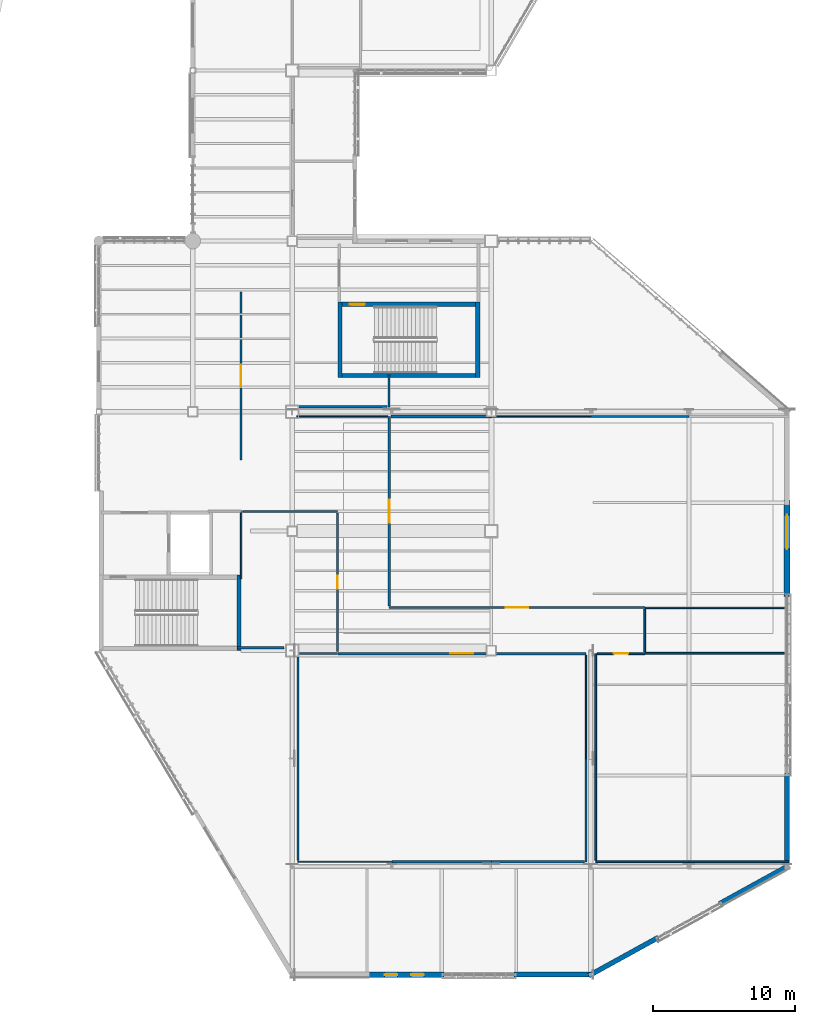
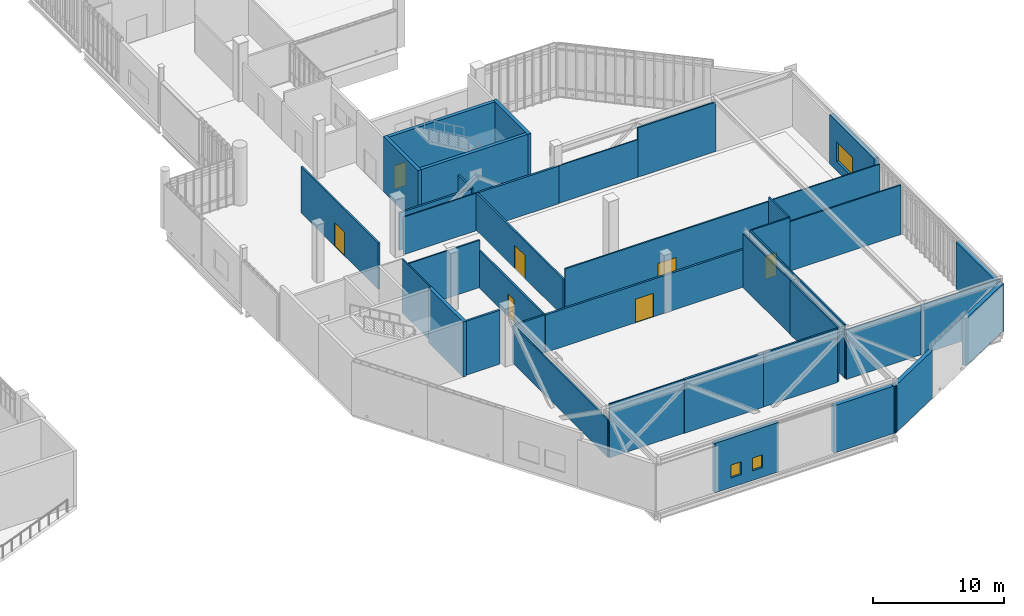
# One storey, part 120 of 135: 40 walls, 7 doors, 3 windows, 10 openings.
"""IFC4 building model written with IfcOpenShell, lengths in metres."""

from ifc_helpers import new_model, si_unit, direction, frame, frame_2d, origin, place, context, subcontext, project, spatial, rectangle, extrude, material, layer, layer_set, type_object, element, fill, save


model = new_model("IFC4")

# Units and contexts
model_context = context("Model", 3, precision=1e-05, world=origin(), true_north=direction((0.0, 1.0)))
body_context = subcontext(model_context, "Body", "Model", "MODEL_VIEW")
ifc_project = project(units=[si_unit("LENGTHUNIT", "METRE"), si_unit("AREAUNIT", "SQUARE_METRE"), si_unit("VOLUMEUNIT", "CUBIC_METRE"), si_unit("PLANEANGLEUNIT", "RADIAN"), si_unit("MASSUNIT", "GRAM", prefix="KILO")], contexts=[model_context])

# Site, building, storey
site_placement = place(None, origin())
site = spatial("IfcSite", under=ifc_project, at=site_placement, CompositionType="ELEMENT")
building_placement = place(site_placement, origin())
building = spatial("IfcBuilding", under=site, at=building_placement, Name="Larkvane Passage Sports Hall", CompositionType="ELEMENT")
storey_placement = place(building_placement, frame((0.0, 0.0, 16.800048828125)))
storey = spatial("IfcBuildingStorey", under=building, at=storey_placement, Name="L03", CompositionType="ELEMENT", Elevation=16.800048828125)

# Walls
ifc_material_1 = material(Name="Concrete C50/60", Category="concrete")
ifc_layer_1 = layer(ifc_material_1, 0.300048828125)
ifc_layer_set_1 = layer_set([ifc_layer_1], Name="Concrete C50/60")
wall_type_1 = type_object("IfcWallType", Name="WL-CORE-300", PredefinedType="SHEAR", material=ifc_layer_set_1)
for number, where, z_axis, x_axis, name in (
    (1, (134.949951171875, 42.0, 0.0), (0.0, 0.0, 1.0), (0.0, 1.0, 0.0), "Core shear wall WAL-CORE-C7-L03-W"),
    (2, (144.64990234375, 47.300048828125, 0.0), (0.0, 0.0, 1.0), (0.0, -1.0, 0.0), "Core shear wall WAL-CORE-C7-L03-E"),
):
    element("IfcWall", number, at=place(storey_placement, frame(where, z_axis=z_axis, x_axis=x_axis)), inside=storey, type_object=wall_type_1, Name=name, PredefinedType="SHEAR", context=body_context, shape_type="SweptSolid", body=[
        extrude(rectangle(XDim=5.300048828125, YDim=0.300048828125, at=frame_2d((2.64990234375, 0.0))), origin(), (0.0, 0.0, 1.0), 5.14990234375),
    ])
wall_1_placement = place(storey_placement, frame((144.5, 42.14990234375, 0.0), z_axis=(0.0, 0.0, 1.0), x_axis=(-1.0, 0.0, 0.0)))
element("IfcWall", 3, at=wall_1_placement, inside=storey, type_object=wall_type_1, Name="Core shear wall WAL-CORE-C7-L03-S", PredefinedType="SHEAR", context=body_context, shape_type="SweptSolid", body=[
    extrude(rectangle(XDim=9.39990234375, YDim=0.300048828125, at=frame_2d((4.699951171875, 0.0))), origin(), (0.0, 0.0, 1.0), 5.14990234375),
])

# Wall, opening, door
wall_2_placement = place(storey_placement, frame((135.10009765625, 47.14990234375, 0.0), z_axis=(0.0, 0.0, 1.0), x_axis=(1.0, 0.0, 0.0)))
wall_2 = element("IfcWall", 4, at=wall_2_placement, inside=storey, type_object=wall_type_1, Name="Core shear wall WAL-CORE-C7-L03-N", PredefinedType="SHEAR", context=body_context, shape_type="SweptSolid", body=[
    extrude(rectangle(XDim=9.39990234375, YDim=0.300048828125, at=frame_2d((4.699951171875, 0.0))), origin(), (0.0, 0.0, 1.0), 5.14990234375),
])
opening_1_placement = place(wall_2_placement, frame((0.550048828125, 0.0, 0.0)))
opening_1 = element("IfcOpeningElement", 5, at=opening_1_placement, cuts=wall_2, Name="Opening DF-01", PredefinedType="OPENING", context=body_context, shape_type="SweptSolid", body=[
    extrude(rectangle(XDim=1.050048828125, YDim=2.199951171875, at=frame_2d((0.52490234375, 1.10009765625))), frame((0.0, 0.159912109375, 0.0), z_axis=(0.0, -1.0, 0.0), x_axis=(1.0, 0.0, 0.0)), (0.0, 0.0, 1.0), 0.320068359375),
])
ifc_material_2 = material(Name="Steel S355JR smoke-sealed fire door", Category="steel")
door_type_1 = type_object("IfcDoorType", Name="DR-FIRE-1050", OperationType="NOTDEFINED", PredefinedType="DOOR", material=ifc_material_2)
door_1_placement = place(opening_1_placement, origin())
door_1 = element("IfcDoor", 6, at=door_1_placement, inside=storey, type_object=door_type_1, Name="Stair ST-07 L03 fire door", OperationType="SINGLE_SWING_RIGHT", OverallHeight=2.199951171875, OverallWidth=1.050048828125, PredefinedType="DOOR", context=body_context, shape_type="SweptSolid", body=[
    extrude(rectangle(XDim=1.050048828125, YDim=2.199951171875, at=frame_2d((0.52490234375, 1.10009765625))), frame((0.0, 0.02490234375, 0.0), z_axis=(0.0, -1.0, 0.0), x_axis=(1.0, 0.0, 0.0)), (0.0, 0.0, 1.0), 0.050048828125),
])
fill(opening_1, door_1)

# Walls
ifc_layer_2 = layer(ifc_material_1, 0.340087890625)
ifc_layer_set_2 = layer_set([ifc_layer_2], Name="Concrete C50/60")
wall_type_2 = type_object("IfcWallType", Name="WL-CORE-340", PredefinedType="SHEAR", material=ifc_layer_set_2)
wall_3_placement = place(storey_placement, frame((127.85009765625, 28.10009765625, 0.0), z_axis=(0.0, 0.0, 1.0), x_axis=(0.0, -1.0, 0.0)))
element("IfcWall", 7, at=wall_3_placement, inside=storey, type_object=wall_type_2, Name="Core shear wall WAL-CORE-C5-L03-E", PredefinedType="SHEAR", context=body_context, shape_type="SweptSolid", body=[
    extrude(rectangle(XDim=5.300048828125, YDim=0.300048828125, at=frame_2d((2.64990234375, 0.0))), origin(), (0.0, 0.0, 1.0), 5.14990234375),
])
ifc_material_3 = material(Name="Precast concrete C45/55", Category="concrete")
ifc_layer_3 = layer(ifc_material_3, 0.344970703125)
ifc_layer_set_3 = layer_set([ifc_layer_3], Name="Precast concrete C45/55")
wall_type_3 = type_object("IfcWallType", Name="WL-EXT-345", PredefinedType="SOLIDWALL", material=ifc_layer_set_3)
wall_4_placement = place(storey_placement, frame((166.39990234375, 14.16552734375, 0.0), z_axis=(0.0, 0.0, 1.0), x_axis=(0.0, -1.0, 0.0)))
element("IfcWall", 8, at=wall_4_placement, inside=storey, type_object=wall_type_3, Name="Exterior wall WAL-EXT-L03-171", PredefinedType="SOLIDWALL", context=body_context, shape_type="SweptSolid", body=[
    extrude(rectangle(XDim=6.731201171875, YDim=0.344970703125, at=frame_2d((3.36572265625, 0.0))), origin(), (0.0, 0.0, 1.0), 4.419921875),
])
for number, where, z_axis, x_axis, name in (
    (9, (166.545166015625, 7.679931640625, 0.0), (0.0, 0.0, 1.0), (-0.875958187031, -0.482387038148, 0.0), "Exterior wall WAL-EXT-L03-172"),
    (10, (157.34521484375, 2.61328125, 0.0), (0.0, 0.0, 1.0), (-0.875958187031, -0.482387038148, 0.0), "Exterior wall WAL-EXT-L03-173"),
):
    element("IfcWall", number, at=place(storey_placement, frame(where, z_axis=z_axis, x_axis=x_axis)), inside=storey, type_object=wall_type_3, Name=name, PredefinedType="SOLIDWALL", context=body_context, shape_type="SweptSolid", body=[
        extrude(rectangle(XDim=5.5830078125, YDim=0.344970703125, at=frame_2d((2.79150390625, 0.0))), origin(), (0.0, 0.0, 1.0), 4.419921875),
    ])
wall_5_placement = place(storey_placement, frame((152.765625, 0.0, 0.0), z_axis=(0.0, 0.0, 1.0), x_axis=(-1.0, 0.0, 0.0)))
element("IfcWall", 11, at=wall_5_placement, inside=storey, type_object=wall_type_3, Name="Exterior wall WAL-EXT-L03-174", PredefinedType="SOLIDWALL", context=body_context, shape_type="SweptSolid", body=[
    extrude(rectangle(XDim=5.581298828125, YDim=0.344970703125, at=frame_2d((2.79052734375, 0.0))), origin(), (0.0, 0.0, 1.0), 4.419921875),
])

# Wall, openings, windows
ifc_material_4 = material(Name="Concrete C40/50", Category="concrete")
ifc_layer_4 = layer(ifc_material_4, 0.385009765625)
ifc_layer_set_4 = layer_set([ifc_layer_4], Name="Concrete C40/50")
wall_type_4 = type_object("IfcWallType", Name="WL-EXT-385", PredefinedType="SOLIDWALL", material=ifc_layer_set_4)
wall_6_placement = place(storey_placement, frame((142.284912109375, 0.0, 0.0), z_axis=(0.0, 0.0, 1.0), x_axis=(-1.0, 0.0, 0.0)))
wall_6 = element("IfcWall", 12, at=wall_6_placement, inside=storey, type_object=wall_type_4, Name="Exterior wall WAL-EXT-L03-175", PredefinedType="SOLIDWALL", context=body_context, shape_type="SweptSolid", body=[
    extrude(rectangle(XDim=5.61962890625, YDim=0.385009765625, at=frame_2d((2.809814453125, 0.0))), origin(), (0.0, 0.0, 1.0), 4.617919921875),
])
opening_2_placement = place(wall_6_placement, frame((1.423095703125, 0.0, 0.89990234375)))
opening_2 = element("IfcOpeningElement", 13, at=opening_2_placement, cuts=wall_6, Name="Opening W-09", PredefinedType="OPENING", context=body_context, shape_type="SweptSolid", body=[
    extrude(rectangle(XDim=0.89990234375, YDim=1.199951171875, at=frame_2d((0.449951171875, 0.60009765625))), frame((0.0, 0.202392578125, 0.0), z_axis=(0.0, -1.0, 0.0), x_axis=(1.0, 0.0, 0.0)), (0.0, 0.0, 1.0), 0.405029296875),
])
opening_3_placement = place(wall_6_placement, frame((3.2958984375, 0.0, 0.89990234375)))
opening_3 = element("IfcOpeningElement", 14, at=opening_3_placement, cuts=wall_6, Name="Opening W-09", PredefinedType="OPENING", context=body_context, shape_type="SweptSolid", body=[
    extrude(rectangle(XDim=0.89990234375, YDim=1.199951171875, at=frame_2d((0.449951171875, 0.60009765625))), frame((0.0, 0.202392578125, 0.0), z_axis=(0.0, -1.0, 0.0), x_axis=(1.0, 0.0, 0.0)), (0.0, 0.0, 1.0), 0.405029296875),
])
ifc_material_5 = material(Name="Thermally broken aluminium and laminated low-E glass", Category="aluminium")
window_type_1 = type_object("IfcWindowType", Name="WN-CAS-900x1200", PartitioningType="SINGLE_PANEL", PredefinedType="WINDOW", material=ifc_material_5)
window_1_placement = place(opening_2_placement, origin())
window_1 = element("IfcWindow", 15, at=window_1_placement, inside=storey, type_object=window_type_1, Name="Window L03-071", OverallHeight=1.199951171875, OverallWidth=0.89990234375, PartitioningType="SINGLE_PANEL", PredefinedType="WINDOW", context=body_context, shape_type="SweptSolid", body=[
    extrude(rectangle(XDim=0.89990234375, YDim=1.199951171875, at=frame_2d((0.449951171875, 0.60009765625))), frame((0.0, 0.030029296875, 0.0), z_axis=(0.0, -1.0, 0.0), x_axis=(1.0, 0.0, 0.0)), (0.0, 0.0, 1.0), 0.06005859375),
])
fill(opening_2, window_1)
window_2_placement = place(opening_3_placement, origin())
window_2 = element("IfcWindow", 16, at=window_2_placement, inside=storey, type_object=window_type_1, Name="Window L03-072", OverallHeight=1.199951171875, OverallWidth=0.89990234375, PartitioningType="SINGLE_PANEL", PredefinedType="WINDOW", context=body_context, shape_type="SweptSolid", body=[
    extrude(rectangle(XDim=0.89990234375, YDim=1.199951171875, at=frame_2d((0.449951171875, 0.60009765625))), frame((0.0, 0.030029296875, 0.0), z_axis=(0.0, -1.0, 0.0), x_axis=(1.0, 0.0, 0.0)), (0.0, 0.0, 1.0), 0.06005859375),
])
fill(opening_3, window_2)

# Wall, opening, window
ifc_layer_5 = layer(ifc_material_4, 0.425048828125)
ifc_layer_set_5 = layer_set([ifc_layer_5], Name="Concrete C40/50")
wall_type_5 = type_object("IfcWallType", Name="WL-EXT-425", PredefinedType="SOLIDWALL", material=ifc_layer_set_5)
wall_7_placement = place(storey_placement, frame((166.39990234375, 33.404052734375, 0.0), z_axis=(0.0, 0.0, 1.0), x_axis=(0.0, -1.0, 0.0)))
wall_7 = element("IfcWall", 17, at=wall_7_placement, inside=storey, type_object=wall_type_5, Name="Exterior wall WAL-EXT-L03-170", PredefinedType="SOLIDWALL", context=body_context, shape_type="SweptSolid", body=[
    extrude(rectangle(XDim=6.80810546875, YDim=0.425048828125, at=frame_2d((3.404052734375, 0.0))), origin(), (0.0, 0.0, 1.0), 4.617919921875),
])
opening_4_placement = place(wall_7_placement, frame((1.069091796875, 0.0, 0.89990234375)))
opening_4 = element("IfcOpeningElement", 18, at=opening_4_placement, cuts=wall_7, Name="Opening W-04", PredefinedType="OPENING", context=body_context, shape_type="SweptSolid", body=[
    extrude(rectangle(XDim=2.39990234375, YDim=1.800048828125, at=frame_2d((1.199951171875, 0.89990234375))), frame((0.0, 0.222412109375, 0.0), z_axis=(0.0, -1.0, 0.0), x_axis=(1.0, 0.0, 0.0)), (0.0, 0.0, 1.0), 0.445068359375),
])
window_type_2 = type_object("IfcWindowType", Name="WN-FIX-2400x1800", PartitioningType="DOUBLE_PANEL_VERTICAL", PredefinedType="WINDOW", material=ifc_material_5)
window_3_placement = place(opening_4_placement, origin())
window_3 = element("IfcWindow", 19, at=window_3_placement, inside=storey, type_object=window_type_2, Name="Window L03-070", OverallHeight=1.800048828125, OverallWidth=2.39990234375, PartitioningType="DOUBLE_PANEL_VERTICAL", PredefinedType="WINDOW", context=body_context, shape_type="SweptSolid", body=[
    extrude(rectangle(XDim=2.39990234375, YDim=1.800048828125, at=frame_2d((1.199951171875, 0.89990234375))), frame((0.0, 0.030029296875, 0.0), z_axis=(0.0, -1.0, 0.0), x_axis=(1.0, 0.0, 0.0)), (0.0, 0.0, 1.0), 0.06005859375),
])
fill(opening_4, window_3)

# Walls
ifc_material_6 = material(Name="Gypsum twin-stud acoustic partition")
ifc_layer_6 = layer(ifc_material_6, 0.10009765625)
ifc_layer_set_6 = layer_set([ifc_layer_6], Name="Gypsum twin-stud acoustic partition")
wall_type_6 = type_object("IfcWallType", Name="WL-PART-100", PredefinedType="PARTITIONING", material=ifc_layer_set_6)
wall_8_placement = place(storey_placement, frame((166.219970703125, 25.800048828125, 0.0), z_axis=(0.0, 0.0, 1.0), x_axis=(-1.0, 0.0, 0.0)))
element("IfcWall", 20, at=wall_8_placement, inside=storey, type_object=wall_type_6, Name="Interior partition WAL-PART-L03-0321", PredefinedType="PARTITIONING", context=body_context, shape_type="SweptSolid", body=[
    extrude(rectangle(XDim=9.800048828125, YDim=0.10009765625, at=frame_2d((4.89990234375, 0.0))), origin(), (0.0, 0.0, 1.0), 4.619873046875),
])
wall_9_placement = place(storey_placement, frame((145.60009765625, 39.260009765625, 0.0), z_axis=(0.0, 0.0, 1.0), x_axis=(1.0, 0.0, 0.0)))
element("IfcWall", 21, at=wall_9_placement, inside=storey, type_object=wall_type_6, Name="Interior partition WAL-PART-L03-0325", PredefinedType="PARTITIONING", context=body_context, shape_type="SweptSolid", body=[
    extrude(rectangle(XDim=7.0, YDim=0.10009765625, at=frame_2d((3.5, 0.0))), origin(), (0.0, 0.0, 1.0), 3.510009765625),
])
wall_10_placement = place(storey_placement, frame((152.260009765625, 22.4599609375, 0.0), z_axis=(0.0, 0.0, 1.0), x_axis=(0.0, -1.0, 0.0)))
element("IfcWall", 22, at=wall_10_placement, inside=storey, type_object=wall_type_6, Name="Interior partition WAL-PART-L03-0329", PredefinedType="PARTITIONING", context=body_context, shape_type="SweptSolid", body=[
    extrude(rectangle(XDim=7.260009765625, YDim=0.10009765625, at=frame_2d((3.6298828125, 0.0))), origin(), (0.0, 0.0, 1.0), 5.030029296875),
])
wall_11_placement = place(storey_placement, frame((138.60009765625, 7.93994140625, 0.0), z_axis=(0.0, 0.0, 1.0), x_axis=(-1.0, 0.0, 0.0)))
element("IfcWall", 23, at=wall_11_placement, inside=storey, type_object=wall_type_6, Name="Interior partition WAL-PART-L03-0333", PredefinedType="PARTITIONING", context=body_context, shape_type="SweptSolid", body=[
    extrude(rectangle(XDim=6.60009765625, YDim=0.10009765625, at=frame_2d((3.300048828125, 0.0))), origin(), (0.0, 0.0, 1.0), 5.030029296875),
])
wall_12_placement = place(storey_placement, frame((128.0, 27.840087890625, 0.0), z_axis=(0.0, 0.0, 1.0), x_axis=(0.0, 1.0, 0.0)))
element("IfcWall", 24, at=wall_12_placement, inside=storey, type_object=wall_type_6, Name="Interior partition WAL-PART-L03-0337", PredefinedType="PARTITIONING", context=body_context, shape_type="SweptSolid", body=[
    extrude(rectangle(XDim=4.739990234375, YDim=0.10009765625, at=frame_2d((2.3701171875, 0.0))), origin(), (0.0, 0.0, 1.0), 5.030029296875),
])
wall_13_placement = place(storey_placement, frame((131.924072265625, 39.260009765625, 0.0), z_axis=(0.0, 0.0, 1.0), x_axis=(1.0, 0.0, 0.0)))
element("IfcWall", 25, at=wall_13_placement, inside=storey, type_object=wall_type_6, Name="Interior partition WAL-PART-L03-0377", PredefinedType="PARTITIONING", context=body_context, shape_type="SweptSolid", body=[
    extrude(rectangle(XDim=6.3759765625, YDim=0.10009765625, at=frame_2d((3.18798828125, 0.0))), origin(), (0.0, 0.0, 1.0), 3.510009765625),
])

# Wall, opening, door
ifc_material_7 = material(Name="Gypsum twin-stud fire-rated partition")
ifc_layer_7 = layer(ifc_material_7, 0.125)
ifc_layer_set_7 = layer_set([ifc_layer_7], Name="Gypsum twin-stud fire-rated partition")
wall_type_7 = type_object("IfcWallType", Name="WL-PART-125", PredefinedType="PARTITIONING", material=ifc_layer_set_7)
wall_14_placement = place(storey_placement, frame((156.39990234375, 25.820068359375, 0.0), z_axis=(0.0, 0.0, 1.0), x_axis=(-1.0, 0.0, 0.0)))
wall_14 = element("IfcWall", 26, at=wall_14_placement, inside=storey, type_object=wall_type_7, Name="Interior partition WAL-PART-L03-0322", PredefinedType="PARTITIONING", context=body_context, shape_type="SweptSolid", body=[
    extrude(rectangle(XDim=17.97998046875, YDim=0.125, at=frame_2d((8.989990234375, 0.0))), origin(), (0.0, 0.0, 1.0), 4.56005859375),
])
opening_5_placement = place(wall_14_placement, frame((8.18994140625, 0.0, 0.0)))
opening_5 = element("IfcOpeningElement", 27, at=opening_5_placement, cuts=wall_14, Name="Opening DI-03", PredefinedType="OPENING", context=body_context, shape_type="SweptSolid", body=[
    extrude(rectangle(XDim=1.60009765625, YDim=2.199951171875, at=frame_2d((0.800048828125, 1.10009765625))), frame((0.0, 0.072509765625, 0.0), z_axis=(0.0, -1.0, 0.0), x_axis=(1.0, 0.0, 0.0)), (0.0, 0.0, 1.0), 0.14501953125),
])
ifc_material_8 = material(Name="Glazed aluminium studio double door", Category="aluminium")
door_type_2 = type_object("IfcDoorType", Name="DR-INT-1600", OperationType="DOUBLE_DOOR_SINGLE_SWING", PredefinedType="DOOR", material=ifc_material_8)
door_2_placement = place(opening_5_placement, origin())
door_2 = element("IfcDoor", 28, at=door_2_placement, inside=storey, type_object=door_type_2, Name="Interior door L03-0093", OperationType="DOUBLE_DOOR_SINGLE_SWING", OverallHeight=2.199951171875, OverallWidth=1.60009765625, PredefinedType="DOOR", context=body_context, shape_type="SweptSolid", body=[
    extrude(rectangle(XDim=1.60009765625, YDim=2.199951171875, at=frame_2d((0.800048828125, 1.10009765625))), frame((0.0, 0.02490234375, 0.0), z_axis=(0.0, -1.0, 0.0), x_axis=(1.0, 0.0, 0.0)), (0.0, 0.0, 1.0), 0.050048828125),
])
fill(opening_5, door_2)

# Walls
wall_15_placement = place(storey_placement, frame((152.60009765625, 39.260009765625, 0.0), z_axis=(0.0, 0.0, 1.0), x_axis=(1.0, 0.0, 0.0)))
element("IfcWall", 29, at=wall_15_placement, inside=storey, type_object=wall_type_7, Name="Interior partition WAL-PART-L03-0326", PredefinedType="PARTITIONING", context=body_context, shape_type="SweptSolid", body=[
    extrude(rectangle(XDim=6.89990234375, YDim=0.125, at=frame_2d((3.449951171875, 0.0))), origin(), (0.0, 0.0, 1.0), 4.619873046875),
])
wall_16_placement = place(storey_placement, frame((152.260009765625, 15.199951171875, 0.0), z_axis=(0.0, 0.0, 1.0), x_axis=(0.0, -1.0, 0.0)))
element("IfcWall", 30, at=wall_16_placement, inside=storey, type_object=wall_type_7, Name="Interior partition WAL-PART-L03-0330", PredefinedType="PARTITIONING", context=body_context, shape_type="SweptSolid", body=[
    extrude(rectangle(XDim=7.260009765625, YDim=0.125, at=frame_2d((3.6298828125, 0.0))), origin(), (0.0, 0.0, 1.0), 5.030029296875),
])
wall_17_placement = place(storey_placement, frame((132.0, 8.06005859375, 0.0), z_axis=(0.0, 0.0, 1.0), x_axis=(0.0, 1.0, 0.0)))
element("IfcWall", 31, at=wall_17_placement, inside=storey, type_object=wall_type_7, Name="Interior partition WAL-PART-L03-0334", PredefinedType="PARTITIONING", context=body_context, shape_type="SweptSolid", body=[
    extrude(rectangle(XDim=14.5400390625, YDim=0.125, at=frame_2d((7.27001953125, 0.0))), origin(), (0.0, 0.0, 1.0), 3.510009765625),
])
wall_18_placement = place(storey_placement, frame((128.1201171875, 32.580078125, 0.0), z_axis=(0.0, 0.0, 1.0), x_axis=(1.0, 0.0, 0.0)))
element("IfcWall", 32, at=wall_18_placement, inside=storey, type_object=wall_type_7, Name="Interior partition WAL-PART-L03-0338", PredefinedType="PARTITIONING", context=body_context, shape_type="SweptSolid", body=[
    extrude(rectangle(XDim=6.659912109375, YDim=0.125, at=frame_2d((3.330078125, 0.0))), origin(), (0.0, 0.0, 1.0), 4.427978515625),
])
wall_19_placement = place(storey_placement, frame((166.551513671875, 7.93994140625, 0.0), z_axis=(0.0, 0.0, 1.0), x_axis=(-1.0, 0.0, 0.0)))
element("IfcWall", 33, at=wall_19_placement, inside=storey, type_object=wall_type_7, Name="Interior partition WAL-PART-L03-0340", PredefinedType="PARTITIONING", context=body_context, shape_type="SweptSolid", body=[
    extrude(rectangle(XDim=7.051513671875, YDim=0.125, at=frame_2d((3.52587890625, 0.0))), origin(), (0.0, 0.0, 1.0), 4.619873046875),
])
wall_20_placement = place(storey_placement, frame((159.5, 7.93994140625, 0.0), z_axis=(0.0, 0.0, 1.0), x_axis=(-1.0, 0.0, 0.0)))
element("IfcWall", 34, at=wall_20_placement, inside=storey, type_object=wall_type_7, Name="Interior partition WAL-PART-L03-0341", PredefinedType="PARTITIONING", context=body_context, shape_type="SweptSolid", body=[
    extrude(rectangle(XDim=6.56005859375, YDim=0.125, at=frame_2d((3.280029296875, 0.0))), origin(), (0.0, 0.0, 1.0), 4.619873046875),
])
wall_21_placement = place(storey_placement, frame((152.93994140625, 8.06005859375, 0.0), z_axis=(0.0, 0.0, 1.0), x_axis=(0.0, 1.0, 0.0)))
element("IfcWall", 35, at=wall_21_placement, inside=storey, type_object=wall_type_7, Name="Interior partition WAL-PART-L03-0342", PredefinedType="PARTITIONING", context=body_context, shape_type="SweptSolid", body=[
    extrude(rectangle(XDim=7.139892578125, YDim=0.125, at=frame_2d((3.56982421875, 0.0))), origin(), (0.0, 0.0, 1.0), 5.030029296875),
])
wall_22_placement = place(storey_placement, frame((152.93994140625, 15.199951171875, 0.0), z_axis=(0.0, 0.0, 1.0), x_axis=(0.0, 1.0, 0.0)))
element("IfcWall", 36, at=wall_22_placement, inside=storey, type_object=wall_type_7, Name="Interior partition WAL-PART-L03-0343", PredefinedType="PARTITIONING", context=body_context, shape_type="SweptSolid", body=[
    extrude(rectangle(XDim=7.380126953125, YDim=0.125, at=frame_2d((3.68994140625, 0.0))), origin(), (0.0, 0.0, 1.0), 5.030029296875),
])

# Wall, opening, door
wall_23_placement = place(storey_placement, frame((153.06005859375, 22.580078125, 0.0), z_axis=(0.0, 0.0, 1.0), x_axis=(1.0, 0.0, 0.0)))
wall_23 = element("IfcWall", 37, at=wall_23_placement, inside=storey, type_object=wall_type_7, Name="Interior partition WAL-PART-L03-0344", PredefinedType="PARTITIONING", context=body_context, shape_type="SweptSolid", body=[
    extrude(rectangle(XDim=3.33984375, YDim=0.125, at=frame_2d((1.669921875, 0.0))), origin(), (0.0, 0.0, 1.0), 5.030029296875),
])
opening_6_placement = place(wall_23_placement, frame((1.169921875, 0.0, 0.0)))
opening_6 = element("IfcOpeningElement", 38, at=opening_6_placement, cuts=wall_23, Name="Opening DI-01", PredefinedType="OPENING", context=body_context, shape_type="SweptSolid", body=[
    extrude(rectangle(XDim=1.0, YDim=2.14990234375, at=frame_2d((0.5, 1.074951171875))), frame((0.0, 0.072509765625, 0.0), z_axis=(0.0, -1.0, 0.0), x_axis=(1.0, 0.0, 0.0)), (0.0, 0.0, 1.0), 0.14501953125),
])
ifc_material_9 = material(Name="Solid-core hardwood acoustic door", Category="wood")
door_type_3 = type_object("IfcDoorType", Name="DR-INT-1000", OperationType="NOTDEFINED", PredefinedType="DOOR", material=ifc_material_9)
door_3_placement = place(opening_6_placement, origin())
door_3 = element("IfcDoor", 39, at=door_3_placement, inside=storey, type_object=door_type_3, Name="Interior door L03-0103", OperationType="SINGLE_SWING_LEFT", OverallHeight=2.14990234375, OverallWidth=1.0, PredefinedType="DOOR", context=body_context, shape_type="SweptSolid", body=[
    extrude(rectangle(XDim=1.0, YDim=2.14990234375, at=frame_2d((0.5, 1.074951171875))), frame((0.0, 0.02490234375, 0.0), z_axis=(0.0, -1.0, 0.0), x_axis=(1.0, 0.0, 0.0)), (0.0, 0.0, 1.0), 0.050048828125),
])
fill(opening_6, door_3)

# Walls
wall_24_placement = place(storey_placement, frame((156.419921875, 22.60009765625, 0.0), z_axis=(0.0, 0.0, 1.0), x_axis=(1.0, 0.0, 0.0)))
element("IfcWall", 40, at=wall_24_placement, inside=storey, type_object=wall_type_7, Name="Interior partition WAL-PART-L03-0345", PredefinedType="PARTITIONING", context=body_context, shape_type="SweptSolid", body=[
    extrude(rectangle(XDim=9.800048828125, YDim=0.125, at=frame_2d((4.89990234375, 0.0))), origin(), (0.0, 0.0, 1.0), 4.619873046875),
])
wall_25_placement = place(storey_placement, frame((156.39990234375, 25.699951171875, 0.0), z_axis=(0.0, 0.0, 1.0), x_axis=(0.0, -1.0, 0.0)))
element("IfcWall", 41, at=wall_25_placement, inside=storey, type_object=wall_type_7, Name="Interior partition WAL-PART-L03-0378", PredefinedType="PARTITIONING", context=body_context, shape_type="SweptSolid", body=[
    extrude(rectangle(XDim=3.0, YDim=0.125, at=frame_2d((1.5, 0.0))), origin(), (0.0, 0.0, 1.0), 5.030029296875),
])

# Wall, opening, door
ifc_material_10 = material(Name="Gypsum acoustic partition")
ifc_layer_8 = layer(ifc_material_10, 0.14990234375)
ifc_layer_set_8 = layer_set([ifc_layer_8], Name="Gypsum acoustic partition")
wall_type_8 = type_object("IfcWallType", Name="WL-PART-150", PredefinedType="PARTITIONING", material=ifc_layer_set_8)
wall_26_placement = place(storey_placement, frame((138.419921875, 25.93994140625, 0.0), z_axis=(0.0, 0.0, 1.0), x_axis=(0.0, 1.0, 0.0)))
wall_26 = element("IfcWall", 42, at=wall_26_placement, inside=storey, type_object=wall_type_8, Name="Interior partition WAL-PART-L03-0323", PredefinedType="PARTITIONING", context=body_context, shape_type="SweptSolid", body=[
    extrude(rectangle(XDim=13.320068359375, YDim=0.14990234375, at=frame_2d((6.66015625, 0.0))), origin(), (0.0, 0.0, 1.0), 3.510009765625),
])
opening_7_placement = place(wall_26_placement, frame((5.860107421875, 0.0, 0.0)))
opening_7 = element("IfcOpeningElement", 43, at=opening_7_placement, cuts=wall_26, Name="Opening DI-03", PredefinedType="OPENING", context=body_context, shape_type="SweptSolid", body=[
    extrude(rectangle(XDim=1.60009765625, YDim=2.199951171875, at=frame_2d((0.800048828125, 1.10009765625))), frame((0.0, 0.0849609375, 0.0), z_axis=(0.0, -1.0, 0.0), x_axis=(1.0, 0.0, 0.0)), (0.0, 0.0, 1.0), 0.169921875),
])
door_4_placement = place(opening_7_placement, origin())
door_4 = element("IfcDoor", 44, at=door_4_placement, inside=storey, type_object=door_type_2, Name="Interior door L03-0095", OperationType="DOUBLE_DOOR_SINGLE_SWING", OverallHeight=2.199951171875, OverallWidth=1.60009765625, PredefinedType="DOOR", context=body_context, shape_type="SweptSolid", body=[
    extrude(rectangle(XDim=1.60009765625, YDim=2.199951171875, at=frame_2d((0.800048828125, 1.10009765625))), frame((0.0, 0.02490234375, 0.0), z_axis=(0.0, -1.0, 0.0), x_axis=(1.0, 0.0, 0.0)), (0.0, 0.0, 1.0), 0.050048828125),
])
fill(opening_7, door_4)

# Walls
wall_27_placement = place(storey_placement, frame((152.139892578125, 7.93994140625, 0.0), z_axis=(0.0, 0.0, 1.0), x_axis=(-1.0, 0.0, 0.0)))
element("IfcWall", 45, at=wall_27_placement, inside=storey, type_object=wall_type_8, Name="Interior partition WAL-PART-L03-0331", PredefinedType="PARTITIONING", context=body_context, shape_type="SweptSolid", body=[
    extrude(rectangle(XDim=6.539794921875, YDim=0.14990234375, at=frame_2d((3.27001953125, 0.0))), origin(), (0.0, 0.0, 1.0), 5.030029296875),
])
wall_28_placement = place(storey_placement, frame((132.1201171875, 22.60009765625, 0.0), z_axis=(0.0, 0.0, 1.0), x_axis=(1.0, 0.0, 0.0)))
element("IfcWall", 46, at=wall_28_placement, inside=storey, type_object=wall_type_8, Name="Interior partition WAL-PART-L03-0335", PredefinedType="PARTITIONING", context=body_context, shape_type="SweptSolid", body=[
    extrude(rectangle(XDim=2.659912109375, YDim=0.14990234375, at=frame_2d((1.330078125, 0.0))), origin(), (0.0, 0.0, 1.0), 3.510009765625),
])

# Wall, opening, door
wall_29_placement = place(storey_placement, frame((134.780029296875, 32.4599609375, 0.0), z_axis=(0.0, 0.0, 1.0), x_axis=(0.0, -1.0, 0.0)))
wall_29 = element("IfcWall", 47, at=wall_29_placement, inside=storey, type_object=wall_type_8, Name="Interior partition WAL-PART-L03-0339", PredefinedType="PARTITIONING", context=body_context, shape_type="SweptSolid", body=[
    extrude(rectangle(XDim=9.739990234375, YDim=0.14990234375, at=frame_2d((4.8701171875, 0.0))), origin(), (0.0, 0.0, 1.0), 3.510009765625),
])
opening_8_placement = place(wall_29_placement, frame((4.409912109375, 0.0, 0.0)))
opening_8 = element("IfcOpeningElement", 48, at=opening_8_placement, cuts=wall_29, Name="Opening DI-02", PredefinedType="OPENING", context=body_context, shape_type="SweptSolid", body=[
    extrude(rectangle(XDim=0.919921875, YDim=2.14990234375, at=frame_2d((0.4599609375, 1.074951171875))), frame((0.0, 0.0849609375, 0.0), z_axis=(0.0, -1.0, 0.0), x_axis=(1.0, 0.0, 0.0)), (0.0, 0.0, 1.0), 0.169921875),
])
ifc_material_11 = material(Name="Moisture-resistant laminate room door")
door_type_4 = type_object("IfcDoorType", Name="DR-INT-900", OperationType="NOTDEFINED", PredefinedType="DOOR", material=ifc_material_11)
door_5_placement = place(opening_8_placement, origin())
door_5 = element("IfcDoor", 49, at=door_5_placement, inside=storey, type_object=door_type_4, Name="Interior door L03-0096", OperationType="SINGLE_SWING_LEFT", OverallHeight=2.14990234375, OverallWidth=0.919921875, PredefinedType="DOOR", context=body_context, shape_type="SweptSolid", body=[
    extrude(rectangle(XDim=0.919921875, YDim=2.14990234375, at=frame_2d((0.4599609375, 1.074951171875))), frame((0.0, 0.02490234375, 0.0), z_axis=(0.0, -1.0, 0.0), x_axis=(1.0, 0.0, 0.0)), (0.0, 0.0, 1.0), 0.050048828125),
])
fill(opening_8, door_5)

wall_30_placement = place(storey_placement, frame((128.0, 48.0, 0.0), z_axis=(0.0, 0.0, 1.0), x_axis=(0.0, -1.0, 0.0)))
wall_30 = element("IfcWall", 50, at=wall_30_placement, inside=storey, type_object=wall_type_8, Name="Interior partition WAL-PART-L03-0367", PredefinedType="PARTITIONING", context=body_context, shape_type="SweptSolid", body=[
    extrude(rectangle(XDim=11.800048828125, YDim=0.14990234375, at=frame_2d((5.89990234375, 0.0))), origin(), (0.0, 0.0, 1.0), 4.31787109375),
])
opening_9_placement = place(wall_30_placement, frame((5.10009765625, 0.0, 0.0)))
opening_9 = element("IfcOpeningElement", 51, at=opening_9_placement, cuts=wall_30, Name="Opening DI-03", PredefinedType="OPENING", context=body_context, shape_type="SweptSolid", body=[
    extrude(rectangle(XDim=1.60009765625, YDim=2.199951171875, at=frame_2d((0.800048828125, 1.10009765625))), frame((0.0, 0.0849609375, 0.0), z_axis=(0.0, -1.0, 0.0), x_axis=(1.0, 0.0, 0.0)), (0.0, 0.0, 1.0), 0.169921875),
])
door_6_placement = place(opening_9_placement, origin())
door_6 = element("IfcDoor", 52, at=door_6_placement, inside=storey, type_object=door_type_2, Name="Interior door L03-0105", OperationType="DOUBLE_DOOR_SINGLE_SWING", OverallHeight=2.199951171875, OverallWidth=1.60009765625, PredefinedType="DOOR", context=body_context, shape_type="SweptSolid", body=[
    extrude(rectangle(XDim=1.60009765625, YDim=2.199951171875, at=frame_2d((0.800048828125, 1.10009765625))), frame((0.0, 0.02490234375, 0.0), z_axis=(0.0, -1.0, 0.0), x_axis=(1.0, 0.0, 0.0)), (0.0, 0.0, 1.0), 0.050048828125),
])
fill(opening_9, door_6)

# Walls
wall_31_placement = place(storey_placement, frame((138.39990234375, 42.323974609375, 0.0), z_axis=(0.0, 0.0, 1.0), x_axis=(0.0, -1.0, 0.0)))
element("IfcWall", 53, at=wall_31_placement, inside=storey, type_object=wall_type_8, Name="Interior partition WAL-PART-L03-0375", PredefinedType="PARTITIONING", context=body_context, shape_type="SweptSolid", body=[
    extrude(rectangle(XDim=2.384033203125, YDim=0.14990234375, at=frame_2d((1.19189453125, 0.0))), origin(), (0.0, 0.0, 1.0), 3.510009765625),
])
ifc_material_12 = material(Name="Gypsum high-bay court partition")
ifc_layer_9 = layer(ifc_material_12, 0.179931640625)
ifc_layer_set_9 = layer_set([ifc_layer_9], Name="Gypsum high-bay court partition")
wall_type_9 = type_object("IfcWallType", Name="WL-PART-180", PredefinedType="PARTITIONING", material=ifc_layer_set_9)
wall_32_placement = place(storey_placement, frame((138.5400390625, 39.260009765625, 0.0), z_axis=(0.0, 0.0, 1.0), x_axis=(1.0, 0.0, 0.0)))
element("IfcWall", 54, at=wall_32_placement, inside=storey, type_object=wall_type_9, Name="Interior partition WAL-PART-L03-0324", PredefinedType="PARTITIONING", context=body_context, shape_type="SweptSolid", body=[
    extrude(rectangle(XDim=7.06005859375, YDim=0.179931640625, at=frame_2d((3.530029296875, 0.0))), origin(), (0.0, 0.0, 1.0), 3.510009765625),
])

# Wall, opening, door
wall_33_placement = place(storey_placement, frame((134.800048828125, 22.580078125, 0.0), z_axis=(0.0, 0.0, 1.0), x_axis=(1.0, 0.0, 0.0)))
wall_33 = element("IfcWall", 55, at=wall_33_placement, inside=storey, type_object=wall_type_9, Name="Interior partition WAL-PART-L03-0328", PredefinedType="PARTITIONING", context=body_context, shape_type="SweptSolid", body=[
    extrude(rectangle(XDim=17.4599609375, YDim=0.179931640625, at=frame_2d((8.72998046875, 0.0))), origin(), (0.0, 0.0, 1.0), 3.510009765625),
])
opening_10_placement = place(wall_33_placement, frame((7.929931640625, 0.0, 0.0)))
opening_10 = element("IfcOpeningElement", 56, at=opening_10_placement, cuts=wall_33, Name="Opening DI-03", PredefinedType="OPENING", context=body_context, shape_type="SweptSolid", body=[
    extrude(rectangle(XDim=1.60009765625, YDim=2.199951171875, at=frame_2d((0.800048828125, 1.10009765625))), frame((0.0, 0.099853515625, 0.0), z_axis=(0.0, -1.0, 0.0), x_axis=(1.0, 0.0, 0.0)), (0.0, 0.0, 1.0), 0.199951171875),
])
door_7_placement = place(opening_10_placement, origin())
door_7 = element("IfcDoor", 57, at=door_7_placement, inside=storey, type_object=door_type_2, Name="Interior door L03-0094", OperationType="DOUBLE_DOOR_SINGLE_SWING", OverallHeight=2.199951171875, OverallWidth=1.60009765625, PredefinedType="DOOR", context=body_context, shape_type="SweptSolid", body=[
    extrude(rectangle(XDim=1.60009765625, YDim=2.199951171875, at=frame_2d((0.800048828125, 1.10009765625))), frame((0.0, 0.02490234375, 0.0), z_axis=(0.0, -1.0, 0.0), x_axis=(1.0, 0.0, 0.0)), (0.0, 0.0, 1.0), 0.050048828125),
])
fill(opening_10, door_7)

# Walls
wall_34_placement = place(storey_placement, frame((145.60009765625, 7.93994140625, 0.0), z_axis=(0.0, 0.0, 1.0), x_axis=(-1.0, 0.0, 0.0)))
element("IfcWall", 58, at=wall_34_placement, inside=storey, type_object=wall_type_9, Name="Interior partition WAL-PART-L03-0332", PredefinedType="PARTITIONING", context=body_context, shape_type="SweptSolid", body=[
    extrude(rectangle(XDim=7.0, YDim=0.179931640625, at=frame_2d((3.5, 0.0))), origin(), (0.0, 0.0, 1.0), 5.030029296875),
])
wall_35_placement = place(storey_placement, frame((131.001953125, 23.0, 0.0), z_axis=(0.0, 0.0, 1.0), x_axis=(-1.0, 0.0, 0.0)))
element("IfcWall", 59, at=wall_35_placement, inside=storey, type_object=wall_type_9, Name="Interior partition WAL-PART-L03-0336", PredefinedType="PARTITIONING", context=body_context, shape_type="SweptSolid", body=[
    extrude(rectangle(XDim=3.261962890625, YDim=0.179931640625, at=frame_2d((1.630859375, 0.0))), origin(), (0.0, 0.0, 1.0), 5.030029296875),
])
wall_36_placement = place(storey_placement, frame((138.280029296875, 39.93994140625, 0.0), z_axis=(0.0, 0.0, 1.0), x_axis=(-1.0, 0.0, 0.0)))
element("IfcWall", 60, at=wall_36_placement, inside=storey, type_object=wall_type_9, Name="Interior partition WAL-PART-L03-0376", PredefinedType="PARTITIONING", context=body_context, shape_type="SweptSolid", body=[
    extrude(rectangle(XDim=6.35595703125, YDim=0.179931640625, at=frame_2d((3.177978515625, 0.0))), origin(), (0.0, 0.0, 1.0), 3.510009765625),
])

save(model, "model.ifc")
